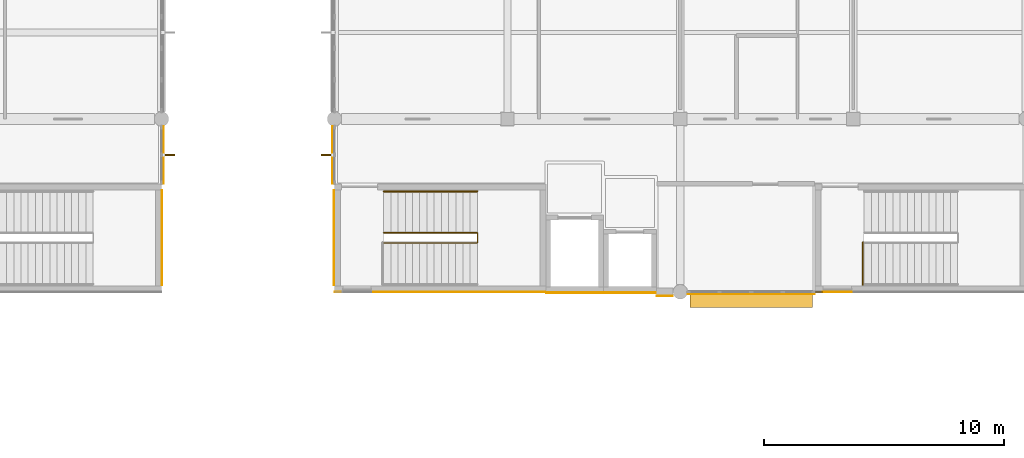
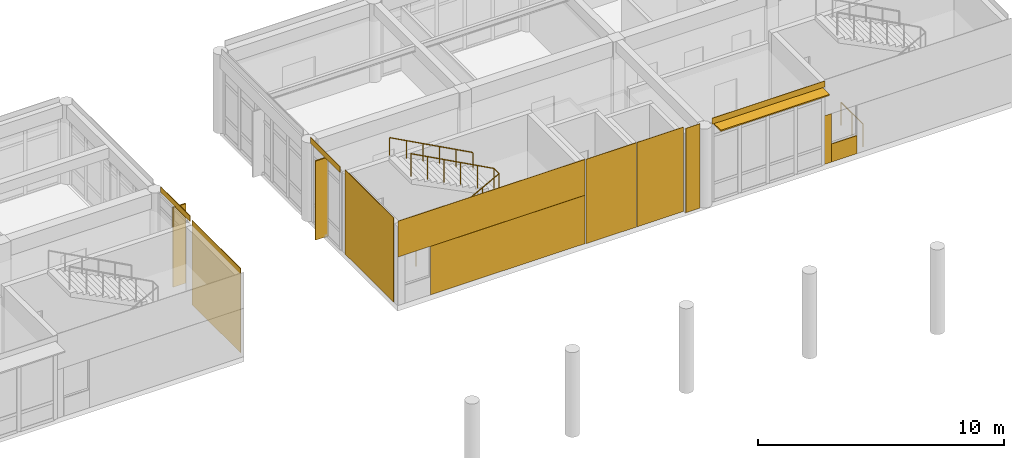
# One storey, part 27 of 29: 12 coverings, 3 railings, 3 shading devices.
"""IFC4 building model written with IfcOpenShell, lengths in metres."""

from ifc_helpers import new_model, si_unit, direction, frame, origin, origin_2d, place, context, subcontext, project, spatial, rectangle, circle, extrude, material, layer, layer_set, type_object, element, save


model = new_model("IFC4")

# Units and contexts
model_context = context("Model", 3, precision=1e-05, world=origin(), true_north=direction((0.0, 1.0)))
body_context = subcontext(model_context, "Body", "Model", "MODEL_VIEW")
ifc_project = project(units=[si_unit("LENGTHUNIT", "METRE"), si_unit("AREAUNIT", "SQUARE_METRE"), si_unit("VOLUMEUNIT", "CUBIC_METRE"), si_unit("PLANEANGLEUNIT", "RADIAN"), si_unit("MASSUNIT", "GRAM", prefix="KILO")], contexts=[model_context])

# Site, building, storey
site_placement = place(None, origin())
site = spatial("IfcSite", under=ifc_project, at=site_placement, CompositionType="ELEMENT")
building_placement = place(site_placement, origin())
building = spatial("IfcBuilding", under=site, at=building_placement, Name="Namkhue Oval Health Centre", CompositionType="ELEMENT")
storey_placement = place(building_placement, frame((0.0, 0.0, 18.0)))
storey = spatial("IfcBuildingStorey", under=building, at=storey_placement, Name="L04", CompositionType="ELEMENT", Elevation=18.0)

# Railings
ifc_material_1 = material(Name="Brushed stainless steel 316L balustrade with laminated glass infill", Category="steel")
railing_type_1 = type_object("IfcRailingType", Name="INTERIOR BALUSTRADE GUARD 1150", PredefinedType="BALUSTRADE", material=ifc_material_1)
railing_1_placement = place(storey_placement, frame((95.64990234375, 92.0400390625, 0.0)))
element("IfcRailing", 1, at=railing_1_placement, inside=storey, type_object=railing_type_1, Name="Stair ST-05 L04 Inner Well Guard", PredefinedType="BALUSTRADE", context=body_context, shape_type="SweptSolid", body=[
    extrude(circle(Radius=0.02392578125, at=origin_2d()), frame((0.0, 0.0, 1.1259765625), z_axis=(0.880469330154, 0.0, 0.474103109733), x_axis=(0.0, 1.0, 0.0)), (0.0, 0.0, 1.0), 4.4296875),
    extrude(circle(Radius=0.02392578125, at=origin_2d()), frame((3.900146484375, 0.0, 3.22607421875), z_axis=(0.0, 1.0, 0.0), x_axis=(-1.0, 0.0, 0.0)), (0.0, 0.0, 1.0), 0.419921875),
    extrude(circle(Radius=0.02392578125, at=origin_2d()), frame((3.900146484375, 0.419921875, 3.22607421875), z_axis=(-0.88049233674, 0.0, 0.474060381114), x_axis=(0.0, -1.0, 0.0)), (0.0, 0.0, 1.0), 4.429443359375),
    extrude(circle(Radius=0.02099609375, at=origin_2d()), origin(), (0.0, 0.0, 1.0), 1.101806640625),
    extrude(circle(Radius=0.02099609375, at=origin_2d()), frame((0.780029296875, 0.0, 0.419921875)), (0.0, 0.0, 1.0), 1.101806640625),
    extrude(circle(Radius=0.02099609375, at=origin_2d()), frame((1.56005859375, 0.0, 0.840087890625)), (0.0, 0.0, 1.0), 1.101806640625),
    extrude(circle(Radius=0.02099609375, at=origin_2d()), frame((2.340087890625, 0.0, 1.260009765625)), (0.0, 0.0, 1.0), 1.101806640625),
    extrude(circle(Radius=0.02099609375, at=origin_2d()), frame((3.1201171875, 0.0, 1.68017578125)), (0.0, 0.0, 1.0), 1.101806640625),
    extrude(circle(Radius=0.02099609375, at=origin_2d()), frame((3.900146484375, 0.0, 2.10009765625)), (0.0, 0.0, 1.0), 1.101806640625),
    extrude(circle(Radius=0.02099609375, at=origin_2d()), frame((3.900146484375, 0.419921875, 2.10009765625)), (0.0, 0.0, 1.0), 1.101806640625),
    extrude(circle(Radius=0.02099609375, at=origin_2d()), frame((3.1201171875, 0.419921875, 2.52001953125)), (0.0, 0.0, 1.0), 1.101806640625),
    extrude(circle(Radius=0.02099609375, at=origin_2d()), frame((2.340087890625, 0.419921875, 2.93994140625)), (0.0, 0.0, 1.0), 1.101806640625),
    extrude(circle(Radius=0.02099609375, at=origin_2d()), frame((1.56005859375, 0.419921875, 3.360107421875)), (0.0, 0.0, 1.0), 1.101806640625),
    extrude(circle(Radius=0.02099609375, at=origin_2d()), frame((0.780029296875, 0.419921875, 3.780029296875)), (0.0, 0.0, 1.0), 1.101806640625),
    extrude(circle(Radius=0.02099609375, at=origin_2d()), frame((0.0, 0.419921875, 4.199951171875)), (0.0, 0.0, 1.0), 1.101806640625),
])
railing_2_placement = place(storey_placement, frame((115.60009765625, 90.2900390625, 0.0)))
element("IfcRailing", 2, at=railing_2_placement, inside=storey, type_object=railing_type_1, Name="Stair ST-06 L04 Landing Well Edge Guard", PredefinedType="BALUSTRADE", context=body_context, shape_type="SweptSolid", body=[
    extrude(circle(Radius=0.02392578125, at=origin_2d()), frame((0.0, 0.0, 1.1259765625), z_axis=(0.0, 1.0, 0.0), x_axis=(-1.0, 0.0, 0.0)), (0.0, 0.0, 1.0), 1.77001953125),
    extrude(circle(Radius=0.02099609375, at=origin_2d()), origin(), (0.0, 0.0, 1.0), 1.101806640625),
    extrude(circle(Radius=0.02099609375, at=origin_2d()), frame((0.0, 0.885009765625, 0.0)), (0.0, 0.0, 1.0), 1.101806640625),
    extrude(circle(Radius=0.02099609375, at=origin_2d()), frame((0.0, 1.77001953125, 0.0)), (0.0, 0.0, 1.0), 1.101806640625),
])
ifc_material_2 = material(Name="Brushed stainless steel 304 tubular handrail", Category="steel")
railing_type_2 = type_object("IfcRailingType", Name="INTERIOR STAIR HANDRAIL 900", PredefinedType="HANDRAIL", material=ifc_material_2)
railing_3_placement = place(storey_placement, frame((99.550048828125, 94.179931640625, 2.10009765625)))
element("IfcRailing", 3, at=railing_3_placement, inside=storey, type_object=railing_type_2, Name="Stair ST-05 L04 Flight 2 Handrail", PredefinedType="HANDRAIL", context=body_context, shape_type="SweptSolid", body=[
    extrude(circle(Radius=0.02392578125, at=origin_2d()), frame((0.0, 0.0, 0.8759765625), z_axis=(-0.88049233674, 0.0, 0.474060381114), x_axis=(0.0, -1.0, 0.0)), (0.0, 0.0, 1.0), 4.429443359375),
    extrude(circle(Radius=0.02099609375, at=origin_2d()), origin(), (0.0, 0.0, 1.0), 0.851806640625),
    extrude(circle(Radius=0.02099609375, at=origin_2d()), frame((-0.780029296875, 0.0, 0.419921875)), (0.0, 0.0, 1.0), 0.851806640625),
    extrude(circle(Radius=0.02099609375, at=origin_2d()), frame((-1.56005859375, 0.0, 0.83984375)), (0.0, 0.0, 1.0), 0.851806640625),
    extrude(circle(Radius=0.02099609375, at=origin_2d()), frame((-2.340087890625, 0.0, 1.260009765625)), (0.0, 0.0, 1.0), 0.851806640625),
    extrude(circle(Radius=0.02099609375, at=origin_2d()), frame((-3.1201171875, 0.0, 1.679931640625)), (0.0, 0.0, 1.0), 0.851806640625),
    extrude(circle(Radius=0.02099609375, at=origin_2d()), frame((-3.900146484375, 0.0, 2.099853515625)), (0.0, 0.0, 1.0), 0.851806640625),
])

# Shading devices
ifc_material_3 = material(Name="Anodised aluminium EN AW-6063 T6", Category="aluminium")
ifc_layer_1 = layer(ifc_material_3, 0.050048828125)
ifc_layer_set_1 = layer_set([ifc_layer_1], Name="Anodised aluminium EN AW-6063 T6")
shading_device_type_1 = type_object("IfcShadingDeviceType", Name="STORM SHUTTER LOUVRE 650", PredefinedType="SHUTTER", material=ifc_layer_set_1)
shading_device_1_placement = place(storey_placement, frame((110.946533203125, 89.675048828125, 3.844970703125), z_axis=(0.0, 0.0, 1.0), x_axis=(1.0, 0.0, 0.0)))
element("IfcShadingDevice", 4, at=shading_device_1_placement, inside=storey, type_object=shading_device_type_1, Name="Volume V3 L04 Horizontal Monsoon Sun Louvre 163", PredefinedType="SHUTTER", context=body_context, shape_type="SweptSolid", body=[
    extrude(rectangle(XDim=5.10302734375, YDim=0.64990234375, at=origin_2d()), origin(), (0.0, 0.0, 1.0), 0.06005859375),
])
shading_device_type_2 = type_object("IfcShadingDeviceType", Name="VERTICAL SOLAR FIN 600", PredefinedType="USERDEFINED", material=ifc_material_3)
shading_device_2_placement = place(storey_placement, frame((86.659912109375, 95.70361328125, 0.0), z_axis=(0.0, 0.0, 1.0), x_axis=(1.0, 0.0, 0.0)))
element("IfcShadingDevice", 5, at=shading_device_2_placement, inside=storey, type_object=shading_device_type_2, Name="Volume V2 L04 Extruded Aluminium Solar Fin 101", ObjectType="SOLAR FIN", PredefinedType="USERDEFINED", context=body_context, shape_type="SweptSolid", body=[
    extrude(rectangle(XDim=0.60009765625, YDim=0.06005859375, at=origin_2d()), origin(), (0.0, 0.0, 1.0), 3.93994140625),
])
shading_device_3_placement = place(storey_placement, frame((93.340087890625, 95.70361328125, 0.0), z_axis=(0.0, 0.0, 1.0), x_axis=(-1.0, 0.0, 0.0)))
element("IfcShadingDevice", 6, at=shading_device_3_placement, inside=storey, type_object=shading_device_type_2, Name="Volume V3 L04 Extruded Aluminium Solar Fin 171", ObjectType="SOLAR FIN", PredefinedType="USERDEFINED", context=body_context, shape_type="SweptSolid", body=[
    extrude(rectangle(XDim=0.60009765625, YDim=0.06005859375, at=origin_2d()), origin(), (0.0, 0.0, 1.0), 3.9150390625),
])

# Coverings
ifc_material_4 = material(Name="White glass-fibre reinforced concrete GRC rainscreen cladding", Category="concrete")
ifc_layer_2 = layer(ifc_material_4, 0.02490234375)
ifc_layer_set_2 = layer_set([ifc_layer_2], Name="White glass-fibre reinforced concrete GRC rainscreen cladding")
covering_type = type_object("IfcCoveringType", Name="WHITE GRC RAINSCREEN CLADDING 25", PredefinedType="CLADDING", material=ifc_layer_set_2)
covering_1_placement = place(storey_placement, frame((86.488525390625, 95.70361328125, 3.925048828125), z_axis=(0.0, 0.0, 1.0), x_axis=(0.0, 1.0, 0.0)))
element("IfcCovering", 7, at=covering_1_placement, inside=storey, type_object=covering_type, Name="Volume V2 L04 Curtain Wall Spandrel Cladding 79", PredefinedType="CLADDING", context=body_context, shape_type="SweptSolid", body=[
    extrude(rectangle(XDim=2.39306640625, YDim=0.02490234375, at=origin_2d()), origin(), (0.0, 0.0, 1.0), 0.27490234375),
])
covering_2_placement = place(storey_placement, frame((107.353515625, 89.8330078125, 0.01025390625), z_axis=(0.0, 0.0, 1.0), x_axis=(1.0, 0.0, 0.0)))
element("IfcCovering", 8, at=covering_2_placement, inside=storey, type_object=covering_type, Name="Volume V3 L04 Facade 78 White GRC Cladding 1", PredefinedType="CLADDING", context=body_context, shape_type="SweptSolid", body=[
    extrude(rectangle(XDim=0.6630859375, YDim=0.02490234375, at=origin_2d()), origin(), (0.0, 0.0, 1.0), 4.179931640625),
])
covering_3_placement = place(storey_placement, frame((110.946533203125, 89.91162109375, 3.89990234375), z_axis=(0.0, 0.0, 1.0), x_axis=(1.0, 0.0, 0.0)))
element("IfcCovering", 9, at=covering_3_placement, inside=storey, type_object=covering_type, Name="Volume V3 L04 Curtain Wall Spandrel Cladding 123", PredefinedType="CLADDING", context=body_context, shape_type="SweptSolid", body=[
    extrude(rectangle(XDim=5.29296875, YDim=0.02490234375, at=origin_2d()), origin(), (0.0, 0.0, 1.0), 0.300048828125),
])
covering_4_placement = place(storey_placement, frame((93.511474609375, 95.70361328125, 3.89990234375), z_axis=(0.0, 0.0, 1.0), x_axis=(0.0, -1.0, 0.0)))
element("IfcCovering", 10, at=covering_4_placement, inside=storey, type_object=covering_type, Name="Volume V3 L04 Curtain Wall Spandrel Cladding 129", PredefinedType="CLADDING", context=body_context, shape_type="SweptSolid", body=[
    extrude(rectangle(XDim=2.39306640625, YDim=0.02490234375, at=origin_2d()), origin(), (0.0, 0.0, 1.0), 0.300048828125),
])
covering_5_placement = place(storey_placement, frame((86.412109375, 92.25, 0.01025390625), z_axis=(0.0, 0.0, 1.0), x_axis=(0.0, 1.0, 0.0)))
element("IfcCovering", 11, at=covering_5_placement, inside=storey, type_object=covering_type, Name="Core SC-04 L04 Core E White GRC Cladding 1", PredefinedType="CLADDING", context=body_context, shape_type="SweptSolid", body=[
    extrude(rectangle(XDim=3.9599609375, YDim=0.02490234375, at=origin_2d()), origin(), (0.0, 0.0, 1.0), 4.179931640625),
])
covering_6_placement = place(storey_placement, frame((98.0, 89.988037109375, 2.4150390625), z_axis=(0.0, 0.0, 1.0), x_axis=(1.0, 0.0, 0.0)))
element("IfcCovering", 12, at=covering_6_placement, inside=storey, type_object=covering_type, Name="Core SC-05 L04 Core S White GRC Cladding 1", PredefinedType="CLADDING", context=body_context, shape_type="SweptSolid", body=[
    extrude(rectangle(XDim=8.760009765625, YDim=0.02490234375, at=origin_2d()), origin(), (0.0, 0.0, 1.0), 1.77490234375),
])
covering_7_placement = place(storey_placement, frame((98.762451171875, 89.988037109375, 0.010009765625), z_axis=(0.0, 0.0, 1.0), x_axis=(1.0, 0.0, 0.0)))
element("IfcCovering", 13, at=covering_7_placement, inside=storey, type_object=covering_type, Name="Core SC-05 L04 Core S White GRC Cladding 4", PredefinedType="CLADDING", context=body_context, shape_type="SweptSolid", body=[
    extrude(rectangle(XDim=7.235107421875, YDim=0.02490234375, at=origin_2d()), origin(), (0.0, 0.0, 1.0), 2.39990234375),
])
covering_8_placement = place(storey_placement, frame((93.587890625, 92.25, 0.01025390625), z_axis=(0.0, 0.0, 1.0), x_axis=(0.0, -1.0, 0.0)))
element("IfcCovering", 14, at=covering_8_placement, inside=storey, type_object=covering_type, Name="Core SC-05 L04 Core W White GRC Cladding 1", PredefinedType="CLADDING", context=body_context, shape_type="SweptSolid", body=[
    extrude(rectangle(XDim=3.9599609375, YDim=0.02490234375, at=origin_2d()), origin(), (0.0, 0.0, 1.0), 4.179931640625),
])
covering_9_placement = place(storey_placement, frame((113.777587890625, 89.988037109375, 0.010009765625), z_axis=(0.0, 0.0, 1.0), x_axis=(1.0, 0.0, 0.0)))
element("IfcCovering", 15, at=covering_9_placement, inside=storey, type_object=covering_type, Name="Core SC-06 L04 Core S White GRC Cladding 2", PredefinedType="CLADDING", context=body_context, shape_type="SweptSolid", body=[
    extrude(rectangle(XDim=0.31494140625, YDim=0.02490234375, at=origin_2d()), origin(), (0.0, 0.0, 1.0), 2.39990234375),
])
covering_10_placement = place(storey_placement, frame((114.5400390625, 89.988037109375, 0.010009765625), z_axis=(0.0, 0.0, 1.0), x_axis=(1.0, 0.0, 0.0)))
element("IfcCovering", 16, at=covering_10_placement, inside=storey, type_object=covering_type, Name="Core SC-06 L04 Core S White GRC Cladding 3", PredefinedType="CLADDING", context=body_context, shape_type="SweptSolid", body=[
    extrude(rectangle(XDim=1.199951171875, YDim=0.02490234375, at=origin_2d()), origin(), (0.0, 0.0, 1.0), 0.89501953125),
])
covering_11_placement = place(storey_placement, frame((103.60009765625, 89.962890625, 0.01025390625), z_axis=(0.0, 0.0, 1.0), x_axis=(1.0, 0.0, 0.0)))
element("IfcCovering", 17, at=covering_11_placement, inside=storey, type_object=covering_type, Name="Lift LF-03 L04 S White GRC Cladding 1", PredefinedType="CLADDING", context=body_context, shape_type="SweptSolid", body=[
    extrude(rectangle(XDim=2.360107421875, YDim=0.02490234375, at=origin_2d()), origin(), (0.0, 0.0, 1.0), 4.179931640625),
])
covering_12_placement = place(storey_placement, frame((105.89990234375, 89.962890625, 0.01025390625), z_axis=(0.0, 0.0, 1.0), x_axis=(1.0, 0.0, 0.0)))
element("IfcCovering", 18, at=covering_12_placement, inside=storey, type_object=covering_type, Name="Lift LF-04 L04 S White GRC Cladding 1", PredefinedType="CLADDING", context=body_context, shape_type="SweptSolid", body=[
    extrude(rectangle(XDim=2.159912109375, YDim=0.02490234375, at=origin_2d()), origin(), (0.0, 0.0, 1.0), 4.179931640625),
])

save(model, "model.ifc")
